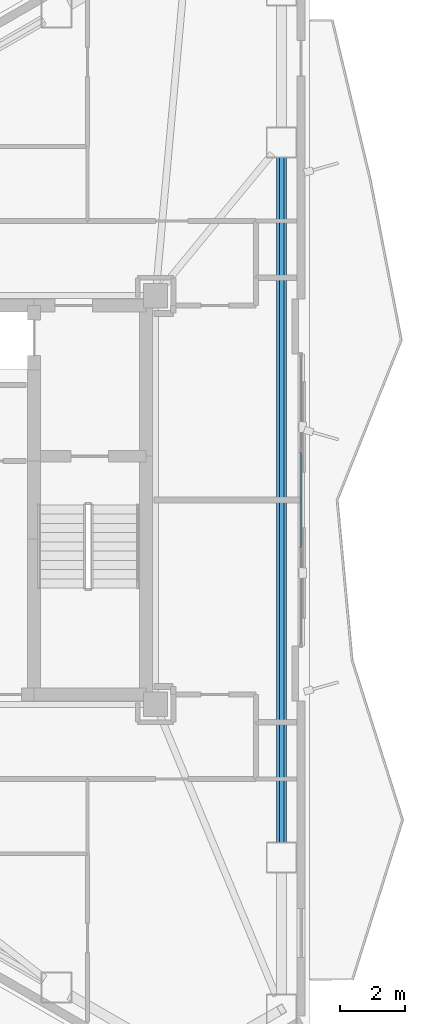
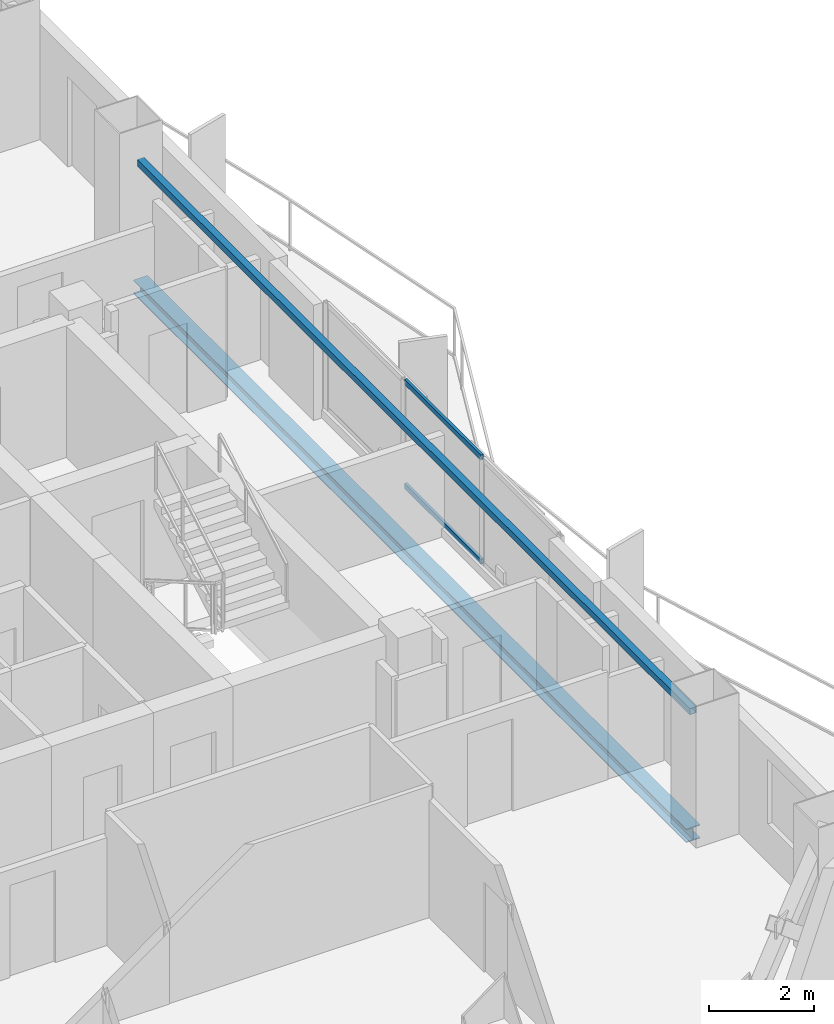
# One storey, part 12 of 21: 2 beams, 2 members, 1 element without a shape of its own.
"""IFC4 building model written with IfcOpenShell, lengths in metres."""

from ifc_helpers import new_model, si_unit, direction, frame, origin, origin_2d, place, context, subcontext, project, spatial, hollow_rectangle, i_section, extrude, material, layer, layer_set, material_profile, profile_set, type_object, element, aggregate, save


model = new_model("IFC4")

# Units and contexts
model_context = context("Model", 3, precision=1e-05, world=origin(), true_north=direction((0.0, 1.0)))
body_context = subcontext(model_context, "Body", "Model", "MODEL_VIEW")
ifc_project = project(units=[si_unit("LENGTHUNIT", "METRE"), si_unit("AREAUNIT", "SQUARE_METRE"), si_unit("VOLUMEUNIT", "CUBIC_METRE"), si_unit("PLANEANGLEUNIT", "RADIAN"), si_unit("MASSUNIT", "GRAM", prefix="KILO")], contexts=[model_context])

# Site, building, storey
site_placement = place(None, origin())
site = spatial("IfcSite", under=ifc_project, at=site_placement, CompositionType="ELEMENT")
building_placement = place(site_placement, origin())
building = spatial("IfcBuilding", under=site, at=building_placement, Name="Mersakhor Tower and Convention Hall", CompositionType="ELEMENT")
storey_placement = place(building_placement, frame((0.0, 0.0, 185.39990234375)))
storey = spatial("IfcBuildingStorey", under=building, at=storey_placement, Name="L51", CompositionType="ELEMENT", Elevation=185.39990234375)

# Beams
ifc_material_1 = material(Name="Steel S355", Category="steel")
ifc_material_profile_1 = material_profile(ifc_material_1, hollow_rectangle(XDim=0.14990234375, YDim=0.14990234375, WallThickness=0.010009765625, at=origin_2d()), Name="SHS 150x150x10")
ifc_profile_set_1 = profile_set([ifc_material_profile_1], Name="Steel S355")
beam_type_1 = type_object("IfcBeamType", Name="BM-GRT-SHS150", PredefinedType="USERDEFINED", material=ifc_profile_set_1)
beam_1_placement = place(storey_placement, frame((39.98828125, 37.31787109375, 2.47998046875), z_axis=(0.0, -1.0, 0.0), x_axis=(1.0, 0.0, 0.0)))
element("IfcBeam", 1, at=beam_1_placement, inside=storey, type_object=beam_type_1, Name="L51 Facade Support Girt GRT-F2", ObjectType="GIRT", PredefinedType="USERDEFINED", context=body_context, shape_type="SweptSolid", body=[
    extrude(hollow_rectangle(XDim=0.14990234375, YDim=0.14990234375, WallThickness=0.010009765625, at=origin_2d()), origin(), (0.0, 0.0, 1.0), 21.1357421875),
])
ifc_material_2 = material(Name="Steel S355", Category="steel")
ifc_material_profile_2 = material_profile(ifc_material_2, i_section(OverallWidth=0.30908203125, OverallDepth=0.320556640625, WebThickness=0.013916015625, FlangeThickness=0.021728515625, at=origin_2d()), Name="UC 305x305x137")
ifc_profile_set_2 = profile_set([ifc_material_profile_2], Name="Steel S355")
beam_type_2 = type_object("IfcBeamType", Name="BM-SPD-UC305", PredefinedType="SPANDREL", material=ifc_profile_set_2)
beam_2_placement = place(storey_placement, frame((39.98828125, 37.31787109375, -0.39013671875), z_axis=(0.0, -1.0, 0.0), x_axis=(1.0, 0.0, 0.0)))
element("IfcBeam", 2, at=beam_2_placement, inside=storey, type_object=beam_type_2, Name="L51 Perimeter Spandrel Beam SPB-06", PredefinedType="SPANDREL", context=body_context, shape_type="SweptSolid", body=[
    extrude(i_section(OverallWidth=0.30908203125, OverallDepth=0.320556640625, WebThickness=0.013916015625, FlangeThickness=0.021728515625, at=origin_2d()), origin(), (0.0, 0.0, 1.0), 21.1357421875),
])

# Curtain wall, members
ifc_material_3 = material(Name="Dark solar low-E aluminium curtain wall", Category="aluminium")
ifc_layer = layer(ifc_material_3, 0.169921875)
ifc_layer_set = layer_set([ifc_layer], Name="Dark solar low-E aluminium curtain wall")
curtain_wall_type = type_object("IfcCurtainWallType", Name="CW-SYS-02", PredefinedType="USERDEFINED", material=ifc_layer_set)
curtain_wall_placement = place(storey_placement, origin())
curtain_wall = element("IfcCurtainWall", 3, at=curtain_wall_placement, inside=storey, type_object=curtain_wall_type, Name="L51 Dark-Glass Curtain Wall F2-B2", ObjectType="CURTAIN WALL", PredefinedType="USERDEFINED")
ifc_material_4 = material(Name="Anodised aluminium EN AW-6063 T6", Category="aluminium")
ifc_material_profile_3 = material_profile(ifc_material_4, hollow_rectangle(XDim=0.06005859375, YDim=0.1201171875, WallThickness=0.0048828125, at=origin_2d()), Name="RHS 120x60x5")
ifc_profile_set_3 = profile_set([ifc_material_profile_3], Name="Anodised aluminium EN AW-6063 T6")
member_type = type_object("IfcMemberType", Name="CWT-120x60", PredefinedType="USERDEFINED", material=ifc_profile_set_3)
member_1_placement = place(storey_placement, frame((40.58837890625, 28.21240234375, 0.22998046875), z_axis=(0.0, -1.0, 0.0), x_axis=(1.0, 0.0, 0.0)))
member_1 = element("IfcMember", 4, at=member_1_placement, type_object=member_type, Name="CW-02 transom 2.1", ObjectType="TRANSOM", PredefinedType="USERDEFINED", context=body_context, shape_type="SweptSolid", body=[
    extrude(hollow_rectangle(XDim=0.06005859375, YDim=0.1201171875, WallThickness=0.0048828125, at=origin_2d()), origin(), (0.0, 0.0, 1.0), 2.9248046875),
])
member_2_placement = place(storey_placement, frame((40.58837890625, 28.21240234375, 2.66015625), z_axis=(0.0, -1.0, 0.0), x_axis=(1.0, 0.0, 0.0)))
member_2 = element("IfcMember", 5, at=member_2_placement, type_object=member_type, Name="CW-02 transom 2.2", ObjectType="TRANSOM", PredefinedType="USERDEFINED", context=body_context, shape_type="SweptSolid", body=[
    extrude(hollow_rectangle(XDim=0.06005859375, YDim=0.1201171875, WallThickness=0.0048828125, at=origin_2d()), origin(), (0.0, 0.0, 1.0), 2.9248046875),
])
aggregate(curtain_wall, [member_1, member_2])

save(model, "model.ifc")
